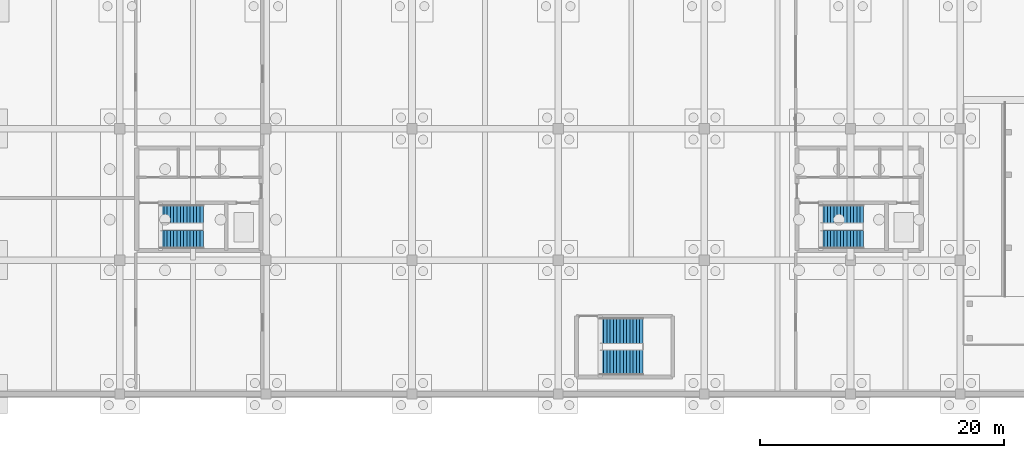
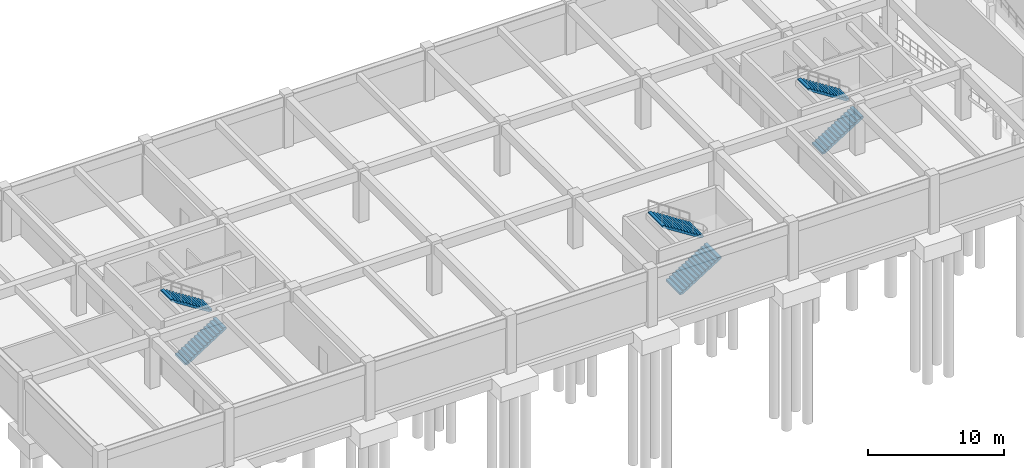
# One storey, part 6 of 8: 6 stair flights, 3 elements without a shape of their own.
"""IFC4 building model written with IfcOpenShell, lengths in metres."""

from ifc_helpers import new_model, si_unit, derived_unit, direction, frame, origin, place, context, subcontext, project, spatial, polyline, outline, extrude, material, type_object, element, aggregate, save


model = new_model("IFC4")

# Units and contexts
model_context = context("Model", 3, precision=1e-05, world=origin(), true_north=direction((0.0, 1.0)))
body_context = subcontext(model_context, "Body", "Model", "MODEL_VIEW")
ifc_project = project(units=[si_unit("LENGTHUNIT", "METRE"), si_unit("AREAUNIT", "SQUARE_METRE"), si_unit("VOLUMEUNIT", "CUBIC_METRE"), si_unit("PLANEANGLEUNIT", "RADIAN"), si_unit("MASSUNIT", "GRAM", prefix="KILO"), derived_unit("THERMALTRANSMITTANCEUNIT", [(si_unit("POWERUNIT", "WATT"), 1), (si_unit("LENGTHUNIT", "METRE"), -2), (si_unit("THERMODYNAMICTEMPERATUREUNIT", "KELVIN"), -1)])], contexts=[model_context])

# Site, building, storey
site_placement = place(None, origin())
site = spatial("IfcSite", under=ifc_project, at=site_placement, CompositionType="ELEMENT")
building_placement = place(site_placement, origin())
building = spatial("IfcBuilding", under=site, at=building_placement, Name="Almenara Railside Exhibition Hall", CompositionType="ELEMENT")
storey_placement = place(building_placement, frame((0.0, 0.0, -4.800048828125)))
storey = spatial("IfcBuildingStorey", under=building, at=storey_placement, Name="B1", CompositionType="ELEMENT", Elevation=-4.800048828125)

# Stair, stair flights
ifc_material = material(Name="Concrete C35/45", Category="concrete")
stair_type_1 = type_object("IfcStairType", Name="Core Dog-Leg Escape Stair 1520mm", PredefinedType="TWO_STRAIGHT_RUN_STAIR", material=ifc_material)
stair_1_placement = place(storey_placement, origin())
stair_1 = element("IfcStair", 1, at=stair_1_placement, inside=storey, type_object=stair_type_1, Name="Escape stair ST-C5-B1", PredefinedType="TWO_STRAIGHT_RUN_STAIR")
stair_flight_type_1 = type_object("IfcStairFlightType", Name="Precast Concrete Stair Flight 1520mm C35/45", PredefinedType="STRAIGHT", material=ifc_material)
stair_flight_1_placement = place(storey_placement, frame((129.35009765625, 12.699951171875, 0.0), z_axis=(0.0, 0.0, 1.0), x_axis=(1.0, 0.0, 0.0)))
stair_flight_1 = element("IfcStairFlight", 2, at=stair_flight_1_placement, type_object=stair_flight_type_1, Name="ST-C5-B1 flight 1", NumberOfRisers=14, NumberOfTreads=13, PredefinedType="STRAIGHT", RiserHeight=0.171429, TreadLength=0.27, context=body_context, shape_type="SweptSolid", body=[
    extrude(outline(polyline([(0.0, 0.0), (0.0, 0.17138671875), (0.27001953125, 0.17138671875), (0.27001953125, 0.3427734375), (0.5400390625, 0.3427734375), (0.5400390625, 0.514404296875), (0.81005859375, 0.514404296875), (0.81005859375, 0.685791015625), (1.080078125, 0.685791015625), (1.080078125, 0.857177734375), (1.35009765625, 0.857177734375), (1.35009765625, 1.028564453125), (1.6201171875, 1.028564453125), (1.6201171875, 1.199951171875), (1.889892578125, 1.199951171875), (1.889892578125, 1.371337890625), (2.159912109375, 1.371337890625), (2.159912109375, 1.54296875), (2.429931640625, 1.54296875), (2.429931640625, 1.71435546875), (2.699951171875, 1.71435546875), (2.699951171875, 1.8857421875), (2.969970703125, 1.8857421875), (2.969970703125, 2.05712890625), (3.239990234375, 2.05712890625), (3.239990234375, 2.228515625), (3.510009765625, 2.228515625), (3.510009765625, 2.39990234375), (3.510009765625, 2.051025390625), (0.27978515625, 0.0), (0.0, 0.0)])), frame((0.0, 0.760009765625, 0.0), z_axis=(0.0, -1.0, 0.0), x_axis=(1.0, 0.0, 0.0)), (0.0, 0.0, 1.0), 1.52001953125),
])
stair_flight_2_placement = place(storey_placement, frame((132.860107421875, 14.800048828125, 2.400146484375), z_axis=(0.0, 0.0, 1.0), x_axis=(-1.0, 0.0, 0.0)))
stair_flight_2 = element("IfcStairFlight", 3, at=stair_flight_2_placement, type_object=stair_flight_type_1, Name="ST-C5-B1 flight 2", NumberOfRisers=14, NumberOfTreads=13, PredefinedType="STRAIGHT", RiserHeight=0.171429, TreadLength=0.27, context=body_context, shape_type="SweptSolid", body=[
    extrude(outline(polyline([(0.0, 0.0), (0.0, 0.17138671875), (0.27001953125, 0.17138671875), (0.27001953125, 0.3427734375), (0.5400390625, 0.3427734375), (0.5400390625, 0.514404296875), (0.81005859375, 0.514404296875), (0.81005859375, 0.685791015625), (1.080078125, 0.685791015625), (1.080078125, 0.857177734375), (1.35009765625, 0.857177734375), (1.35009765625, 1.028564453125), (1.6201171875, 1.028564453125), (1.6201171875, 1.199951171875), (1.889892578125, 1.199951171875), (1.889892578125, 1.371337890625), (2.159912109375, 1.371337890625), (2.159912109375, 1.54296875), (2.429931640625, 1.54296875), (2.429931640625, 1.71435546875), (2.699951171875, 1.71435546875), (2.699951171875, 1.8857421875), (2.969970703125, 1.8857421875), (2.969970703125, 2.05712890625), (3.239990234375, 2.05712890625), (3.239990234375, 2.228515625), (3.510009765625, 2.228515625), (3.510009765625, 2.39990234375), (3.510009765625, 2.051025390625), (0.27978515625, 0.0), (0.0, 0.0)])), frame((0.0, 0.760009765625, 0.0), z_axis=(0.0, -1.0, 0.0), x_axis=(1.0, 0.0, 0.0)), (0.0, 0.0, 1.0), 1.52001953125),
])
aggregate(stair_1, [stair_flight_1, stair_flight_2])

stair_2_placement = place(storey_placement, origin())
stair_2 = element("IfcStair", 4, at=stair_2_placement, inside=storey, type_object=stair_type_1, Name="Escape stair ST-C6-B1", PredefinedType="TWO_STRAIGHT_RUN_STAIR")
stair_flight_3_placement = place(storey_placement, frame((183.550048828125, 12.699951171875, 0.0), z_axis=(0.0, 0.0, 1.0), x_axis=(1.0, 0.0, 0.0)))
stair_flight_3 = element("IfcStairFlight", 5, at=stair_flight_3_placement, type_object=stair_flight_type_1, Name="ST-C6-B1 flight 1", NumberOfRisers=14, NumberOfTreads=13, PredefinedType="STRAIGHT", RiserHeight=0.171429, TreadLength=0.27, context=body_context, shape_type="SweptSolid", body=[
    extrude(outline(polyline([(0.0, 0.0), (0.0, 0.17138671875), (0.27001953125, 0.17138671875), (0.27001953125, 0.3427734375), (0.5400390625, 0.3427734375), (0.5400390625, 0.514404296875), (0.81005859375, 0.514404296875), (0.81005859375, 0.685791015625), (1.080078125, 0.685791015625), (1.080078125, 0.857177734375), (1.35009765625, 0.857177734375), (1.35009765625, 1.028564453125), (1.6201171875, 1.028564453125), (1.6201171875, 1.199951171875), (1.889892578125, 1.199951171875), (1.889892578125, 1.371337890625), (2.159912109375, 1.371337890625), (2.159912109375, 1.54296875), (2.429931640625, 1.54296875), (2.429931640625, 1.71435546875), (2.699951171875, 1.71435546875), (2.699951171875, 1.8857421875), (2.969970703125, 1.8857421875), (2.969970703125, 2.05712890625), (3.239990234375, 2.05712890625), (3.239990234375, 2.228515625), (3.510009765625, 2.228515625), (3.510009765625, 2.39990234375), (3.510009765625, 2.051025390625), (0.27978515625, 0.0), (0.0, 0.0)])), frame((0.0, 0.760009765625, 0.0), z_axis=(0.0, -1.0, 0.0), x_axis=(1.0, 0.0, 0.0)), (0.0, 0.0, 1.0), 1.52001953125),
])
stair_flight_4_placement = place(storey_placement, frame((187.06005859375, 14.800048828125, 2.400146484375), z_axis=(0.0, 0.0, 1.0), x_axis=(-1.0, 0.0, 0.0)))
stair_flight_4 = element("IfcStairFlight", 6, at=stair_flight_4_placement, type_object=stair_flight_type_1, Name="ST-C6-B1 flight 2", NumberOfRisers=14, NumberOfTreads=13, PredefinedType="STRAIGHT", RiserHeight=0.171429, TreadLength=0.27, context=body_context, shape_type="SweptSolid", body=[
    extrude(outline(polyline([(0.0, 0.0), (0.0, 0.17138671875), (0.27001953125, 0.17138671875), (0.27001953125, 0.3427734375), (0.5400390625, 0.3427734375), (0.5400390625, 0.514404296875), (0.81005859375, 0.514404296875), (0.81005859375, 0.685791015625), (1.080078125, 0.685791015625), (1.080078125, 0.857177734375), (1.35009765625, 0.857177734375), (1.35009765625, 1.028564453125), (1.6201171875, 1.028564453125), (1.6201171875, 1.199951171875), (1.889892578125, 1.199951171875), (1.889892578125, 1.371337890625), (2.159912109375, 1.371337890625), (2.159912109375, 1.54296875), (2.429931640625, 1.54296875), (2.429931640625, 1.71435546875), (2.699951171875, 1.71435546875), (2.699951171875, 1.8857421875), (2.969970703125, 1.8857421875), (2.969970703125, 2.05712890625), (3.239990234375, 2.05712890625), (3.239990234375, 2.228515625), (3.510009765625, 2.228515625), (3.510009765625, 2.39990234375), (3.510009765625, 2.051025390625), (0.27978515625, 0.0), (0.0, 0.0)])), frame((0.0, 0.760009765625, 0.0), z_axis=(0.0, -1.0, 0.0), x_axis=(1.0, 0.0, 0.0)), (0.0, 0.0, 1.0), 1.52001953125),
])
aggregate(stair_2, [stair_flight_3, stair_flight_4])

stair_type_2 = type_object("IfcStairType", Name="Hall Escape Dog-Leg Stair 2100mm", PredefinedType="TWO_STRAIGHT_RUN_STAIR", material=ifc_material)
stair_3_placement = place(storey_placement, origin())
stair_3 = element("IfcStair", 7, at=stair_3_placement, inside=storey, type_object=stair_type_2, Name="Escape stair HST4-B1", PredefinedType="TWO_STRAIGHT_RUN_STAIR")
stair_flight_type_2 = type_object("IfcStairFlightType", Name="Precast Concrete Stair Flight 2100mm C35/45", PredefinedType="STRAIGHT", material=ifc_material)
stair_flight_5_placement = place(storey_placement, frame((165.449951171875, 2.590087890625, 0.0), z_axis=(0.0, 0.0, 1.0), x_axis=(1.0, 0.0, 0.0)))
stair_flight_5 = element("IfcStairFlight", 8, at=stair_flight_5_placement, type_object=stair_flight_type_2, Name="HST4-B1 flight 1", NumberOfRisers=14, NumberOfTreads=13, PredefinedType="STRAIGHT", RiserHeight=0.171429, TreadLength=0.27, context=body_context, shape_type="SweptSolid", body=[
    extrude(outline(polyline([(0.0, 0.0), (0.0, 0.17138671875), (0.27001953125, 0.17138671875), (0.27001953125, 0.3427734375), (0.5400390625, 0.3427734375), (0.5400390625, 0.514404296875), (0.81005859375, 0.514404296875), (0.81005859375, 0.685791015625), (1.080078125, 0.685791015625), (1.080078125, 0.857177734375), (1.35009765625, 0.857177734375), (1.35009765625, 1.028564453125), (1.6201171875, 1.028564453125), (1.6201171875, 1.199951171875), (1.889892578125, 1.199951171875), (1.889892578125, 1.371337890625), (2.159912109375, 1.371337890625), (2.159912109375, 1.54296875), (2.429931640625, 1.54296875), (2.429931640625, 1.71435546875), (2.699951171875, 1.71435546875), (2.699951171875, 1.8857421875), (2.969970703125, 1.8857421875), (2.969970703125, 2.05712890625), (3.239990234375, 2.05712890625), (3.239990234375, 2.228515625), (3.510009765625, 2.228515625), (3.510009765625, 2.39990234375), (3.510009765625, 2.051025390625), (0.27978515625, 0.0), (0.0, 0.0)])), frame((0.0, 1.050048828125, 0.0), z_axis=(0.0, -1.0, 0.0), x_axis=(1.0, 0.0, 0.0)), (0.0, 0.0, 1.0), 2.10009765625),
])
stair_flight_6_placement = place(storey_placement, frame((168.9599609375, 5.2099609375, 2.400146484375), z_axis=(0.0, 0.0, 1.0), x_axis=(-1.0, 0.0, 0.0)))
stair_flight_6 = element("IfcStairFlight", 9, at=stair_flight_6_placement, type_object=stair_flight_type_2, Name="HST4-B1 flight 2", NumberOfRisers=14, NumberOfTreads=13, PredefinedType="STRAIGHT", RiserHeight=0.171429, TreadLength=0.27, context=body_context, shape_type="SweptSolid", body=[
    extrude(outline(polyline([(0.0, 0.0), (0.0, 0.17138671875), (0.27001953125, 0.17138671875), (0.27001953125, 0.3427734375), (0.5400390625, 0.3427734375), (0.5400390625, 0.514404296875), (0.81005859375, 0.514404296875), (0.81005859375, 0.685791015625), (1.080078125, 0.685791015625), (1.080078125, 0.857177734375), (1.35009765625, 0.857177734375), (1.35009765625, 1.028564453125), (1.6201171875, 1.028564453125), (1.6201171875, 1.199951171875), (1.889892578125, 1.199951171875), (1.889892578125, 1.371337890625), (2.159912109375, 1.371337890625), (2.159912109375, 1.54296875), (2.429931640625, 1.54296875), (2.429931640625, 1.71435546875), (2.699951171875, 1.71435546875), (2.699951171875, 1.8857421875), (2.969970703125, 1.8857421875), (2.969970703125, 2.05712890625), (3.239990234375, 2.05712890625), (3.239990234375, 2.228515625), (3.510009765625, 2.228515625), (3.510009765625, 2.39990234375), (3.510009765625, 2.051025390625), (0.27978515625, 0.0), (0.0, 0.0)])), frame((0.0, 1.050048828125, 0.0), z_axis=(0.0, -1.0, 0.0), x_axis=(1.0, 0.0, 0.0)), (0.0, 0.0, 1.0), 2.10009765625),
])
aggregate(stair_3, [stair_flight_5, stair_flight_6])

save(model, "model.ifc")
